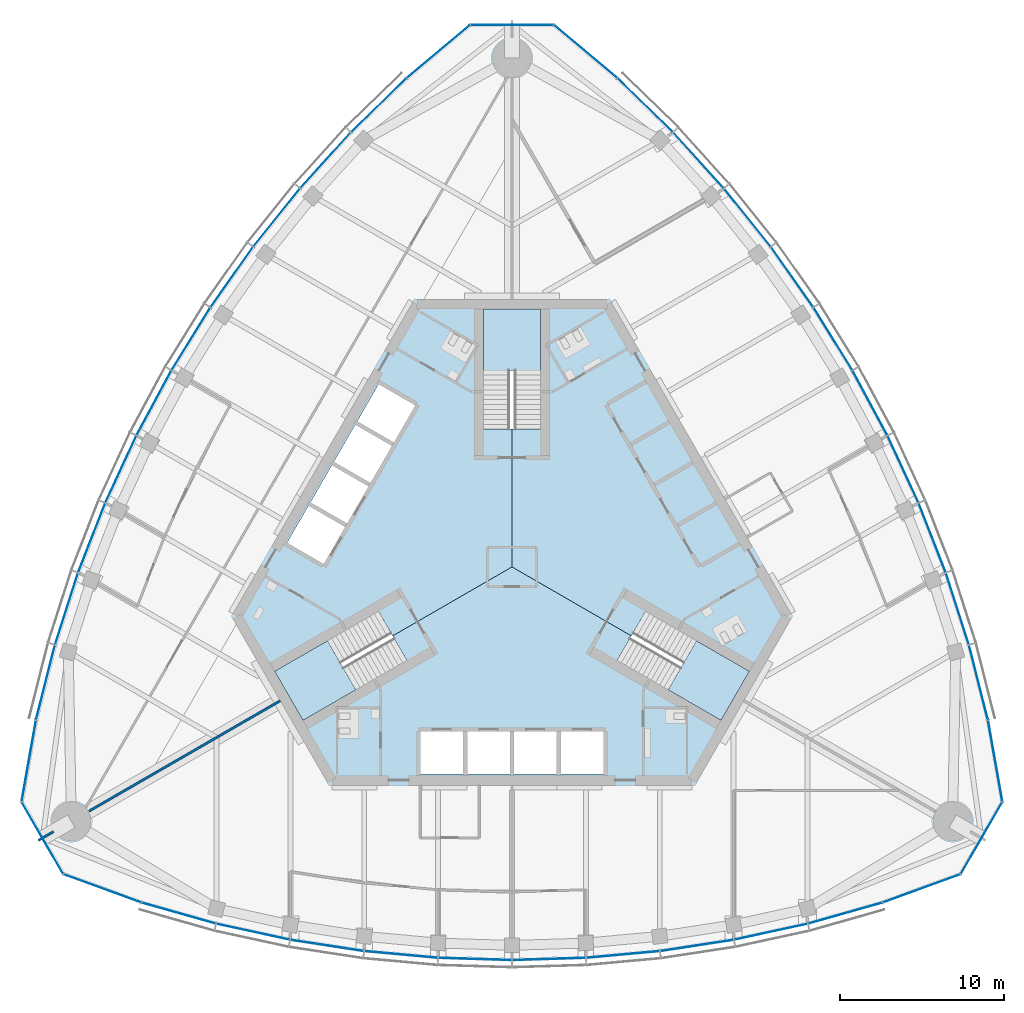
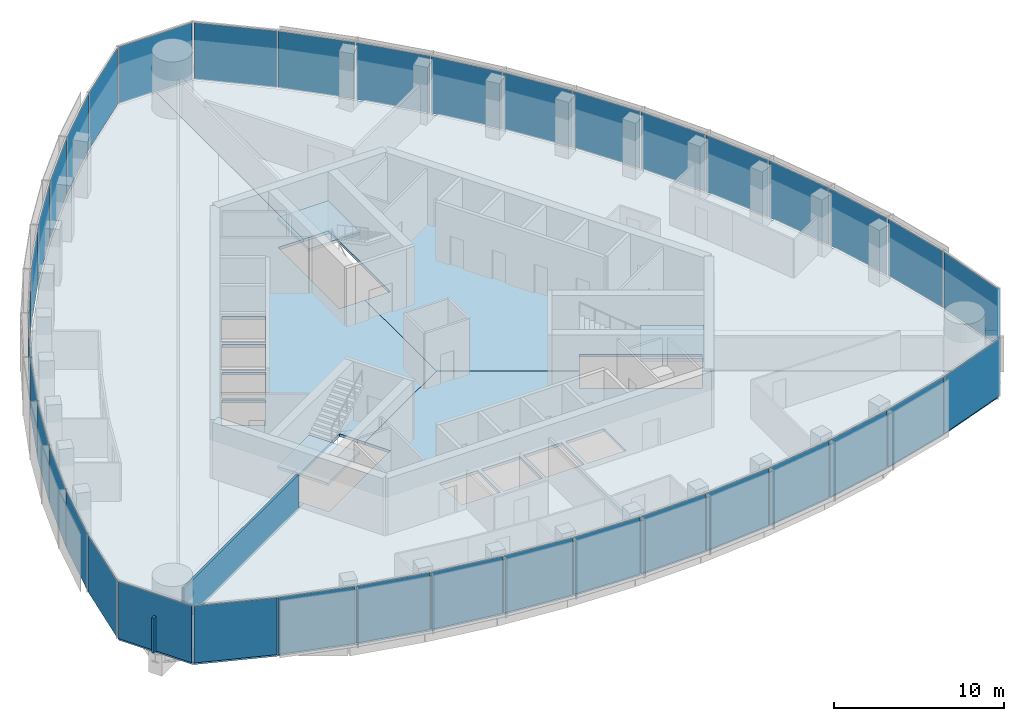
# One storey, part 7 of 16: 39 plates, 6 slabs, 2 walls, 9 elements without a shape of their own.
"""IFC4 building model written with IfcOpenShell, lengths in metres."""

from ifc_helpers import new_model, si_unit, direction, frame, frame_2d, origin, origin_2d, place, context, subcontext, project, spatial, polyline, rectangle, outline, extrude, material, layer, layer_set, type_object, element, aggregate, save


model = new_model("IFC4")

# Units and contexts
model_context = context("Model", 3, precision=1e-05, world=origin(), true_north=direction((0.0, 1.0)))
body_context = subcontext(model_context, "Body", "Model", "MODEL_VIEW")
ifc_project = project(units=[si_unit("LENGTHUNIT", "METRE"), si_unit("AREAUNIT", "SQUARE_METRE"), si_unit("VOLUMEUNIT", "CUBIC_METRE"), si_unit("PLANEANGLEUNIT", "RADIAN"), si_unit("MASSUNIT", "GRAM", prefix="KILO")], contexts=[model_context])

# Site, building, storey
site_placement = place(None, origin())
site = spatial("IfcSite", under=ifc_project, at=site_placement, CompositionType="ELEMENT")
building_placement = place(site_placement, origin())
building = spatial("IfcBuilding", under=site, at=building_placement, Name="Trefoil Bronze Tower", CompositionType="ELEMENT")
storey_placement = place(building_placement, frame((0.0, 0.0, 309.89990234375)))
storey = spatial("IfcBuildingStorey", under=building, at=storey_placement, Name="L71", CompositionType="ELEMENT", Elevation=309.89990234375)

# Curtain wall, plates
ifc_material_1 = material(Name="Tinted solar-control glass", Category="glass")
curtain_wall_type_1 = type_object("IfcCurtainWallType", Name="Bronze office curtain wall", PredefinedType="USERDEFINED", material=ifc_material_1)
curtain_wall_1_placement = place(storey_placement, origin())
curtain_wall_1 = element("IfcCurtainWall", 1, at=curtain_wall_1_placement, inside=storey, type_object=curtain_wall_type_1, Name="CW-A L71 F1", ObjectType="CURTAIN WALL", PredefinedType="USERDEFINED")
ifc_material_2 = material(Name="Tinted solar-control glass", Category="glass")
ifc_layer_1 = layer(ifc_material_2, 0.030029296875)
ifc_layer_set_1 = layer_set([ifc_layer_1], Name="Bronze office curtain wall glass panel")
plate_type_1 = type_object("IfcPlateType", Name="Bronze office curtain wall glass panel", PredefinedType="CURTAIN_PANEL", material=ifc_layer_set_1)
plate_1_placement = place(storey_placement, frame((-20.301513671875, -21.092529296875, 0.0), z_axis=(0.0, 0.0, 1.0), x_axis=(0.962097746943, -0.272704831875, 0.0)))
plate_1 = element("IfcPlate", 2, at=plate_1_placement, type_object=plate_type_1, Name="CW-A L71 F1 panel 1", PredefinedType="CURTAIN_PANEL", context=body_context, shape_type="SweptSolid", body=[
    extrude(rectangle(XDim=4.6474609375, YDim=0.030029296875, at=origin_2d()), origin(), (0.0, 0.0, 1.0), 4.080078125),
])
plate_2_placement = place(storey_placement, frame((-15.771240234375, -22.226318359375, 0.0), z_axis=(0.0, 0.0, 1.0), x_axis=(0.977303138829, -0.211845639168, 0.0)))
plate_2 = element("IfcPlate", 3, at=plate_2_placement, type_object=plate_type_1, Name="CW-A L71 F1 panel 2", PredefinedType="CURTAIN_PANEL", context=body_context, shape_type="SweptSolid", body=[
    extrude(rectangle(XDim=4.5244140625, YDim=0.030029296875, at=origin_2d()), origin(), (0.0, 0.0, 1.0), 4.080078125),
])
plate_3_placement = place(storey_placement, frame((-11.26513671875, -23.0595703125, 0.0), z_axis=(0.0, 0.0, 1.0), x_axis=(0.988485337216, -0.151316681529, 0.0)))
plate_3 = element("IfcPlate", 4, at=plate_3_placement, type_object=plate_type_1, Name="CW-A L71 F1 panel 3", PredefinedType="CURTAIN_PANEL", context=body_context, shape_type="SweptSolid", body=[
    extrude(rectangle(XDim=4.472412109375, YDim=0.030029296875, at=origin_2d()), origin(), (0.0, 0.0, 1.0), 4.080078125),
])
plate_4_placement = place(storey_placement, frame((-6.759033203125, -23.60986328125, 0.0), z_axis=(0.0, 0.0, 1.0), x_axis=(0.99587011625, -0.090789380212, 0.0)))
plate_4 = element("IfcPlate", 5, at=plate_4_placement, type_object=plate_type_1, Name="CW-A L71 F1 panel 4", PredefinedType="CURTAIN_PANEL", context=body_context, shape_type="SweptSolid", body=[
    extrude(rectangle(XDim=4.438720703125, YDim=0.030029296875, at=origin_2d()), origin(), (0.0, 0.0, 1.0), 4.080078125),
])
plate_5_placement = place(storey_placement, frame((-2.2529296875, -23.883544921875, 0.0), z_axis=(0.0, 0.0, 1.0), x_axis=(0.999541969785, -0.030263024264, 0.0)))
plate_5 = element("IfcPlate", 6, at=plate_5_placement, type_object=plate_type_1, Name="CW-A L71 F1 panel 5", PredefinedType="CURTAIN_PANEL", context=body_context, shape_type="SweptSolid", body=[
    extrude(rectangle(XDim=4.422119140625, YDim=0.030029296875, at=origin_2d()), origin(), (0.0, 0.0, 1.0), 4.080078125),
])
plate_6_placement = place(storey_placement, frame((2.2529296875, -23.883544921875, 0.0), z_axis=(0.0, 0.0, 1.0), x_axis=(0.999541969785, 0.030263024264, 0.0)))
plate_6 = element("IfcPlate", 7, at=plate_6_placement, type_object=plate_type_1, Name="CW-A L71 F1 panel 6", PredefinedType="CURTAIN_PANEL", context=body_context, shape_type="SweptSolid", body=[
    extrude(rectangle(XDim=4.422119140625, YDim=0.030029296875, at=origin_2d()), origin(), (0.0, 0.0, 1.0), 4.080078125),
])
plate_7_placement = place(storey_placement, frame((6.759033203125, -23.60986328125, 0.0), z_axis=(0.0, 0.0, 1.0), x_axis=(0.99587011625, 0.090789380212, 0.0)))
plate_7 = element("IfcPlate", 8, at=plate_7_placement, type_object=plate_type_1, Name="CW-A L71 F1 panel 7", PredefinedType="CURTAIN_PANEL", context=body_context, shape_type="SweptSolid", body=[
    extrude(rectangle(XDim=4.438720703125, YDim=0.030029296875, at=origin_2d()), origin(), (0.0, 0.0, 1.0), 4.080078125),
])
plate_8_placement = place(storey_placement, frame((11.26513671875, -23.0595703125, 0.0), z_axis=(0.0, 0.0, 1.0), x_axis=(0.988485337216, 0.151316681529, 0.0)))
plate_8 = element("IfcPlate", 9, at=plate_8_placement, type_object=plate_type_1, Name="CW-A L71 F1 panel 8", PredefinedType="CURTAIN_PANEL", context=body_context, shape_type="SweptSolid", body=[
    extrude(rectangle(XDim=4.472412109375, YDim=0.030029296875, at=origin_2d()), origin(), (0.0, 0.0, 1.0), 4.080078125),
])
plate_9_placement = place(storey_placement, frame((15.771240234375, -22.226318359375, 0.0), z_axis=(0.0, 0.0, 1.0), x_axis=(0.977303138829, 0.211845639168, 0.0)))
plate_9 = element("IfcPlate", 10, at=plate_9_placement, type_object=plate_type_1, Name="CW-A L71 F1 panel 9", PredefinedType="CURTAIN_PANEL", context=body_context, shape_type="SweptSolid", body=[
    extrude(rectangle(XDim=4.5244140625, YDim=0.030029296875, at=origin_2d()), origin(), (0.0, 0.0, 1.0), 4.080078125),
])
plate_10_placement = place(storey_placement, frame((20.301513671875, -21.092529296875, 0.0), z_axis=(0.0, 0.0, 1.0), x_axis=(0.962097746943, 0.272704831875, 0.0)))
plate_10 = element("IfcPlate", 11, at=plate_10_placement, type_object=plate_type_1, Name="CW-A L71 F1 panel 10", PredefinedType="CURTAIN_PANEL", context=body_context, shape_type="SweptSolid", body=[
    extrude(rectangle(XDim=4.6474609375, YDim=0.030029296875, at=origin_2d()), origin(), (0.0, 0.0, 1.0), 4.080078125),
])
aggregate(curtain_wall_1, [plate_1, plate_2, plate_3, plate_4, plate_5, plate_6, plate_7, plate_8, plate_9, plate_10])

curtain_wall_2_placement = place(storey_placement, origin())
curtain_wall_2 = element("IfcCurtainWall", 12, at=curtain_wall_2_placement, inside=storey, type_object=curtain_wall_type_1, Name="CW-A L71 F2", ObjectType="CURTAIN WALL", PredefinedType="USERDEFINED")
plate_11_placement = place(storey_placement, frame((28.417236328125, -7.035400390625, 0.0), z_axis=(0.0, 0.0, 1.0), x_axis=(-0.244879561333, 0.969553505713, 0.0)))
plate_11 = element("IfcPlate", 13, at=plate_11_placement, type_object=plate_type_1, Name="CW-A L71 F2 panel 1", PredefinedType="CURTAIN_PANEL", context=body_context, shape_type="SweptSolid", body=[
    extrude(rectangle(XDim=4.6474609375, YDim=0.030029296875, at=origin_2d()), origin(), (0.0, 0.0, 1.0), 4.080078125),
])
plate_12_placement = place(storey_placement, frame((27.134033203125, -2.545166015625, 0.0), z_axis=(0.0, 0.0, 1.0), x_axis=(-0.305187864214, 0.952292165009, 0.0)))
plate_12 = element("IfcPlate", 14, at=plate_12_placement, type_object=plate_type_1, Name="CW-A L71 F2 panel 2", PredefinedType="CURTAIN_PANEL", context=body_context, shape_type="SweptSolid", body=[
    extrude(rectangle(XDim=4.5244140625, YDim=0.030029296875, at=origin_2d()), origin(), (0.0, 0.0, 1.0), 4.080078125),
])
plate_13_placement = place(storey_placement, frame((25.602783203125, 1.77392578125, 0.0), z_axis=(0.0, 0.0, 1.0), x_axis=(-0.363198578387, 0.931711754062, 0.0)))
plate_13 = element("IfcPlate", 15, at=plate_13_placement, type_object=plate_type_1, Name="CW-A L71 F2 panel 3", PredefinedType="CURTAIN_PANEL", context=body_context, shape_type="SweptSolid", body=[
    extrude(rectangle(XDim=4.472412109375, YDim=0.030029296875, at=origin_2d()), origin(), (0.0, 0.0, 1.0), 4.080078125),
])
plate_14_placement = place(storey_placement, frame((23.826171875, 5.951416015625, 0.0), z_axis=(0.0, 0.0, 1.0), x_axis=(-0.419309148468, 0.907843509649, 0.0)))
plate_14 = element("IfcPlate", 16, at=plate_14_placement, type_object=plate_type_1, Name="CW-A L71 F2 panel 4", PredefinedType="CURTAIN_PANEL", context=body_context, shape_type="SweptSolid", body=[
    extrude(rectangle(XDim=4.438720703125, YDim=0.030029296875, at=origin_2d()), origin(), (0.0, 0.0, 1.0), 4.080078125),
])
plate_15_placement = place(storey_placement, frame((21.81005859375, 9.990478515625, 0.0), z_axis=(0.0, 0.0, 1.0), x_axis=(-0.473562437085, 0.880760250115, 0.0)))
plate_15 = element("IfcPlate", 17, at=plate_15_placement, type_object=plate_type_1, Name="CW-A L71 F2 panel 5", PredefinedType="CURTAIN_PANEL", context=body_context, shape_type="SweptSolid", body=[
    extrude(rectangle(XDim=4.422119140625, YDim=0.030029296875, at=origin_2d()), origin(), (0.0, 0.0, 1.0), 4.080078125),
])
plate_16_placement = place(storey_placement, frame((19.55712890625, 13.892822265625, 0.0), z_axis=(0.0, 0.0, 1.0), x_axis=(-0.525979532701, 0.850497225851, 0.0)))
plate_16 = element("IfcPlate", 18, at=plate_16_placement, type_object=plate_type_1, Name="CW-A L71 F2 panel 6", PredefinedType="CURTAIN_PANEL", context=body_context, shape_type="SweptSolid", body=[
    extrude(rectangle(XDim=4.422119140625, YDim=0.030029296875, at=origin_2d()), origin(), (0.0, 0.0, 1.0), 4.080078125),
])
plate_17_placement = place(storey_placement, frame((17.067138671875, 17.658447265625, 0.0), z_axis=(0.0, 0.0, 1.0), x_axis=(-0.576560967783, 0.817054129437, 0.0)))
plate_17 = element("IfcPlate", 19, at=plate_17_placement, type_object=plate_type_1, Name="CW-A L71 F2 panel 7", PredefinedType="CURTAIN_PANEL", context=body_context, shape_type="SweptSolid", body=[
    extrude(rectangle(XDim=4.438720703125, YDim=0.030029296875, at=origin_2d()), origin(), (0.0, 0.0, 1.0), 4.080078125),
])
plate_18_placement = place(storey_placement, frame((14.337646484375, 21.28564453125, 0.0), z_axis=(0.0, 0.0, 1.0), x_axis=(-0.625286758829, 0.780395072533, 0.0)))
plate_18 = element("IfcPlate", 20, at=plate_18_placement, type_object=plate_type_1, Name="CW-A L71 F2 panel 8", PredefinedType="CURTAIN_PANEL", context=body_context, shape_type="SweptSolid", body=[
    extrude(rectangle(XDim=4.472412109375, YDim=0.030029296875, at=origin_2d()), origin(), (0.0, 0.0, 1.0), 4.080078125),
])
plate_19_placement = place(storey_placement, frame((11.36279296875, 24.771484375, 0.0), z_axis=(0.0, 0.0, 1.0), x_axis=(-0.672115274615, 0.74044652584, 0.0)))
plate_19 = element("IfcPlate", 21, at=plate_19_placement, type_object=plate_type_1, Name="CW-A L71 F2 panel 9", PredefinedType="CURTAIN_PANEL", context=body_context, shape_type="SweptSolid", body=[
    extrude(rectangle(XDim=4.5244140625, YDim=0.030029296875, at=origin_2d()), origin(), (0.0, 0.0, 1.0), 4.080078125),
])
plate_20_placement = place(storey_placement, frame((8.115966796875, 28.127685546875, 0.0), z_axis=(0.0, 0.0, 1.0), x_axis=(-0.71721818561, 0.696848673839, 0.0)))
plate_20 = element("IfcPlate", 22, at=plate_20_placement, type_object=plate_type_1, Name="CW-A L71 F2 panel 10", PredefinedType="CURTAIN_PANEL", context=body_context, shape_type="SweptSolid", body=[
    extrude(rectangle(XDim=4.6474609375, YDim=0.030029296875, at=origin_2d()), origin(), (0.0, 0.0, 1.0), 4.080078125),
])
aggregate(curtain_wall_2, [plate_11, plate_12, plate_13, plate_14, plate_15, plate_16, plate_17, plate_18, plate_19, plate_20])

curtain_wall_3_placement = place(storey_placement, origin())
curtain_wall_3 = element("IfcCurtainWall", 23, at=curtain_wall_3_placement, inside=storey, type_object=curtain_wall_type_1, Name="CW-A L71 F3", ObjectType="CURTAIN WALL", PredefinedType="USERDEFINED")
plate_21_placement = place(storey_placement, frame((-8.115966796875, 28.127685546875, 0.0), z_axis=(0.0, 0.0, 1.0), x_axis=(-0.71721818561, -0.696848673839, 0.0)))
plate_21 = element("IfcPlate", 24, at=plate_21_placement, type_object=plate_type_1, Name="CW-A L71 F3 panel 1", PredefinedType="CURTAIN_PANEL", context=body_context, shape_type="SweptSolid", body=[
    extrude(rectangle(XDim=4.6474609375, YDim=0.030029296875, at=origin_2d()), origin(), (0.0, 0.0, 1.0), 4.080078125),
])
plate_22_placement = place(storey_placement, frame((-11.36279296875, 24.771484375, 0.0), z_axis=(0.0, 0.0, 1.0), x_axis=(-0.672115274615, -0.74044652584, 0.0)))
plate_22 = element("IfcPlate", 25, at=plate_22_placement, type_object=plate_type_1, Name="CW-A L71 F3 panel 2", PredefinedType="CURTAIN_PANEL", context=body_context, shape_type="SweptSolid", body=[
    extrude(rectangle(XDim=4.5244140625, YDim=0.030029296875, at=origin_2d()), origin(), (0.0, 0.0, 1.0), 4.080078125),
])
plate_23_placement = place(storey_placement, frame((-14.337646484375, 21.28564453125, 0.0), z_axis=(0.0, 0.0, 1.0), x_axis=(-0.625286758829, -0.780395072533, 0.0)))
plate_23 = element("IfcPlate", 26, at=plate_23_placement, type_object=plate_type_1, Name="CW-A L71 F3 panel 3", PredefinedType="CURTAIN_PANEL", context=body_context, shape_type="SweptSolid", body=[
    extrude(rectangle(XDim=4.472412109375, YDim=0.030029296875, at=origin_2d()), origin(), (0.0, 0.0, 1.0), 4.080078125),
])
plate_24_placement = place(storey_placement, frame((-17.067138671875, 17.658447265625, 0.0), z_axis=(0.0, 0.0, 1.0), x_axis=(-0.576560967783, -0.817054129437, 0.0)))
plate_24 = element("IfcPlate", 27, at=plate_24_placement, type_object=plate_type_1, Name="CW-A L71 F3 panel 4", PredefinedType="CURTAIN_PANEL", context=body_context, shape_type="SweptSolid", body=[
    extrude(rectangle(XDim=4.438720703125, YDim=0.030029296875, at=origin_2d()), origin(), (0.0, 0.0, 1.0), 4.080078125),
])
plate_25_placement = place(storey_placement, frame((-19.55712890625, 13.892822265625, 0.0), z_axis=(0.0, 0.0, 1.0), x_axis=(-0.525979532701, -0.850497225851, 0.0)))
plate_25 = element("IfcPlate", 28, at=plate_25_placement, type_object=plate_type_1, Name="CW-A L71 F3 panel 5", PredefinedType="CURTAIN_PANEL", context=body_context, shape_type="SweptSolid", body=[
    extrude(rectangle(XDim=4.422119140625, YDim=0.030029296875, at=origin_2d()), origin(), (0.0, 0.0, 1.0), 4.080078125),
])
plate_26_placement = place(storey_placement, frame((-21.81005859375, 9.990478515625, 0.0), z_axis=(0.0, 0.0, 1.0), x_axis=(-0.473562437085, -0.880760250115, 0.0)))
plate_26 = element("IfcPlate", 29, at=plate_26_placement, type_object=plate_type_1, Name="CW-A L71 F3 panel 6", PredefinedType="CURTAIN_PANEL", context=body_context, shape_type="SweptSolid", body=[
    extrude(rectangle(XDim=4.422119140625, YDim=0.030029296875, at=origin_2d()), origin(), (0.0, 0.0, 1.0), 4.080078125),
])
plate_27_placement = place(storey_placement, frame((-23.826171875, 5.951416015625, 0.0), z_axis=(0.0, 0.0, 1.0), x_axis=(-0.419309148468, -0.907843509649, 0.0)))
plate_27 = element("IfcPlate", 30, at=plate_27_placement, type_object=plate_type_1, Name="CW-A L71 F3 panel 7", PredefinedType="CURTAIN_PANEL", context=body_context, shape_type="SweptSolid", body=[
    extrude(rectangle(XDim=4.438720703125, YDim=0.030029296875, at=origin_2d()), origin(), (0.0, 0.0, 1.0), 4.080078125),
])
plate_28_placement = place(storey_placement, frame((-25.602783203125, 1.77392578125, 0.0), z_axis=(0.0, 0.0, 1.0), x_axis=(-0.363198578387, -0.931711754062, 0.0)))
plate_28 = element("IfcPlate", 31, at=plate_28_placement, type_object=plate_type_1, Name="CW-A L71 F3 panel 8", PredefinedType="CURTAIN_PANEL", context=body_context, shape_type="SweptSolid", body=[
    extrude(rectangle(XDim=4.472412109375, YDim=0.030029296875, at=origin_2d()), origin(), (0.0, 0.0, 1.0), 4.080078125),
])
plate_29_placement = place(storey_placement, frame((-27.134033203125, -2.545166015625, 0.0), z_axis=(0.0, 0.0, 1.0), x_axis=(-0.305187864214, -0.952292165009, 0.0)))
plate_29 = element("IfcPlate", 32, at=plate_29_placement, type_object=plate_type_1, Name="CW-A L71 F3 panel 9", PredefinedType="CURTAIN_PANEL", context=body_context, shape_type="SweptSolid", body=[
    extrude(rectangle(XDim=4.5244140625, YDim=0.030029296875, at=origin_2d()), origin(), (0.0, 0.0, 1.0), 4.080078125),
])
plate_30_placement = place(storey_placement, frame((-28.417236328125, -7.035400390625, 0.0), z_axis=(0.0, 0.0, 1.0), x_axis=(-0.244879561333, -0.969553505713, 0.0)))
plate_30 = element("IfcPlate", 33, at=plate_30_placement, type_object=plate_type_1, Name="CW-A L71 F3 panel 10", PredefinedType="CURTAIN_PANEL", context=body_context, shape_type="SweptSolid", body=[
    extrude(rectangle(XDim=4.6474609375, YDim=0.030029296875, at=origin_2d()), origin(), (0.0, 0.0, 1.0), 4.080078125),
])
aggregate(curtain_wall_3, [plate_21, plate_22, plate_23, plate_24, plate_25, plate_26, plate_27, plate_28, plate_29, plate_30])

ifc_material_3 = material(Name="Tinted solar-control glass", Category="glass")
curtain_wall_type_2 = type_object("IfcCurtainWallType", Name="Bronze rounded corner curtain wall", PredefinedType="USERDEFINED", material=ifc_material_3)
curtain_wall_4_placement = place(storey_placement, origin())
curtain_wall_4 = element("IfcCurtainWall", 34, at=curtain_wall_4_placement, inside=storey, type_object=curtain_wall_type_2, Name="CW-B L71 K1", ObjectType="CURTAIN WALL", PredefinedType="USERDEFINED")
ifc_material_4 = material(Name="Tinted solar-control glass", Category="glass")
ifc_layer_2 = layer(ifc_material_4, 0.030029296875)
ifc_layer_set_2 = layer_set([ifc_layer_2], Name="Bronze rounded corner curtain wall glass panel")
plate_type_2 = type_object("IfcPlateType", Name="Bronze rounded corner curtain wall glass panel", PredefinedType="CURTAIN_PANEL", material=ifc_layer_set_2)
plate_31_placement = place(storey_placement, frame((24.939453125, -19.587646484375, 0.0), z_axis=(0.0, 0.0, 1.0), x_axis=(0.939692620786, 0.342020143326, 0.0)))
plate_31 = element("IfcPlate", 35, at=plate_31_placement, type_object=plate_type_2, Name="CW-B L71 K1 panel 1", PredefinedType="CURTAIN_PANEL", context=body_context, shape_type="SweptSolid", body=[
    extrude(rectangle(XDim=4.956298828125, YDim=0.030029296875, at=origin_2d()), origin(), (0.0, 0.0, 1.0), 4.080078125),
])
plate_32_placement = place(storey_placement, frame((28.602783203125, -16.513916015625, 0.0), z_axis=(0.0, 0.0, 1.0), x_axis=(0.5, 0.866025403784, 0.0)))
plate_32 = element("IfcPlate", 36, at=plate_32_placement, type_object=plate_type_2, Name="CW-B L71 K1 panel 2", PredefinedType="CURTAIN_PANEL", context=body_context, shape_type="SweptSolid", body=[
    extrude(rectangle(XDim=4.956298828125, YDim=0.030029296875, at=origin_2d()), origin(), (0.0, 0.0, 1.0), 4.080078125),
])
plate_33_placement = place(storey_placement, frame((29.43310546875, -11.80419921875, 0.0), z_axis=(0.0, 0.0, 1.0), x_axis=(-0.173648177667, 0.984807753012, 0.0)))
plate_33 = element("IfcPlate", 37, at=plate_33_placement, type_object=plate_type_2, Name="CW-B L71 K1 panel 3", PredefinedType="CURTAIN_PANEL", context=body_context, shape_type="SweptSolid", body=[
    extrude(rectangle(XDim=4.956298828125, YDim=0.030029296875, at=origin_2d()), origin(), (0.0, 0.0, 1.0), 4.080078125),
])
aggregate(curtain_wall_4, [plate_31, plate_32, plate_33])

curtain_wall_5_placement = place(storey_placement, origin())
curtain_wall_5 = element("IfcCurtainWall", 38, at=curtain_wall_5_placement, inside=storey, type_object=curtain_wall_type_2, Name="CW-B L71 K2", ObjectType="CURTAIN WALL", PredefinedType="USERDEFINED")
plate_34_placement = place(storey_placement, frame((4.493896484375, 31.39208984375, 0.0), z_axis=(0.0, 0.0, 1.0), x_axis=(-0.766044443119, 0.642787609687, 0.0)))
plate_34 = element("IfcPlate", 39, at=plate_34_placement, type_object=plate_type_2, Name="CW-B L71 K2 panel 1", PredefinedType="CURTAIN_PANEL", context=body_context, shape_type="SweptSolid", body=[
    extrude(rectangle(XDim=4.956298828125, YDim=0.030029296875, at=origin_2d()), origin(), (0.0, 0.0, 1.0), 4.080078125),
])
plate_35_placement = place(storey_placement, frame((0.0, 33.027587890625, 0.0), z_axis=(0.0, 0.0, 1.0), x_axis=(-1.0, 0.0, 0.0)))
plate_35 = element("IfcPlate", 40, at=plate_35_placement, type_object=plate_type_2, Name="CW-B L71 K2 panel 2", PredefinedType="CURTAIN_PANEL", context=body_context, shape_type="SweptSolid", body=[
    extrude(rectangle(XDim=4.956298828125, YDim=0.030029296875, at=origin_2d()), origin(), (0.0, 0.0, 1.0), 4.080078125),
])
plate_36_placement = place(storey_placement, frame((-4.493896484375, 31.39208984375, 0.0), z_axis=(0.0, 0.0, 1.0), x_axis=(-0.766044443119, -0.642787609687, 0.0)))
plate_36 = element("IfcPlate", 41, at=plate_36_placement, type_object=plate_type_2, Name="CW-B L71 K2 panel 3", PredefinedType="CURTAIN_PANEL", context=body_context, shape_type="SweptSolid", body=[
    extrude(rectangle(XDim=4.956298828125, YDim=0.030029296875, at=origin_2d()), origin(), (0.0, 0.0, 1.0), 4.080078125),
])
aggregate(curtain_wall_5, [plate_34, plate_35, plate_36])

curtain_wall_6_placement = place(storey_placement, origin())
curtain_wall_6 = element("IfcCurtainWall", 42, at=curtain_wall_6_placement, inside=storey, type_object=curtain_wall_type_2, Name="CW-B L71 K3", ObjectType="CURTAIN WALL", PredefinedType="USERDEFINED")
plate_37_placement = place(storey_placement, frame((-29.43310546875, -11.80419921875, 0.0), z_axis=(0.0, 0.0, 1.0), x_axis=(-0.173648177667, -0.984807753012, 0.0)))
plate_37 = element("IfcPlate", 43, at=plate_37_placement, type_object=plate_type_2, Name="CW-B L71 K3 panel 1", PredefinedType="CURTAIN_PANEL", context=body_context, shape_type="SweptSolid", body=[
    extrude(rectangle(XDim=4.956298828125, YDim=0.030029296875, at=origin_2d()), origin(), (0.0, 0.0, 1.0), 4.080078125),
])
plate_38_placement = place(storey_placement, frame((-28.602783203125, -16.513916015625, 0.0), z_axis=(0.0, 0.0, 1.0), x_axis=(0.5, -0.866025403784, 0.0)))
plate_38 = element("IfcPlate", 44, at=plate_38_placement, type_object=plate_type_2, Name="CW-B L71 K3 panel 2", PredefinedType="CURTAIN_PANEL", context=body_context, shape_type="SweptSolid", body=[
    extrude(rectangle(XDim=4.956298828125, YDim=0.030029296875, at=origin_2d()), origin(), (0.0, 0.0, 1.0), 4.080078125),
])
plate_39_placement = place(storey_placement, frame((-24.939453125, -19.587646484375, 0.0), z_axis=(0.0, 0.0, 1.0), x_axis=(0.939692620786, -0.342020143326, 0.0)))
plate_39 = element("IfcPlate", 45, at=plate_39_placement, type_object=plate_type_2, Name="CW-B L71 K3 panel 3", PredefinedType="CURTAIN_PANEL", context=body_context, shape_type="SweptSolid", body=[
    extrude(rectangle(XDim=4.956298828125, YDim=0.030029296875, at=origin_2d()), origin(), (0.0, 0.0, 1.0), 4.080078125),
])
aggregate(curtain_wall_6, [plate_37, plate_38, plate_39])

# Slabs
ifc_material_5 = material(Name="Concrete B30", Category="concrete")
ifc_layer_3 = layer(ifc_material_5, 0.199951171875)
ifc_layer_set_3 = layer_set([ifc_layer_3], Name="Floor slab 200")
slab_type_1 = type_object("IfcSlabType", Name="Floor slab 200", PredefinedType="FLOOR", material=ifc_layer_set_3)
slab_1_placement = place(storey_placement, frame((0.0, 0.0, -0.199951171875)))
element("IfcSlab", 46, at=slab_1_placement, inside=storey, type_object=slab_type_1, Name="Floor slab L71 face 1", PredefinedType="FLOOR", context=body_context, shape_type="SweptSolid", body=[
    extrude(outline(polyline([(13.5, -22.6162109375), (9.0, -23.30517578125), (4.5, -23.71533203125), (0.0, -23.8515625), (-4.5, -23.71533203125), (-9.0, -23.30517578125), (-13.5, -22.6162109375), (-18.0, -21.640869140625), (-22.54833984375, -20.3515625), (-27.261962890625, -18.635986328125), (-28.51611328125, -16.4638671875), (-13.510009765625, -7.800048828125), (-12.6474609375, -9.2939453125), (-6.412109375, -5.69384765625), (-7.274658203125, -4.199951171875), (0.0, 0.0), (7.274658203125, -4.199951171875), (6.412109375, -5.69384765625), (12.6474609375, -9.2939453125), (13.510009765625, -7.800048828125), (28.51611328125, -16.4638671875), (27.261962890625, -18.635986328125), (22.54833984375, -20.3515625), (18.0, -21.640869140625), (13.5, -22.6162109375)]), holes=[polyline([(-5.574951171875, -10.02490234375), (-2.97509765625, -10.02490234375), (-2.97509765625, -12.60009765625), (-5.574951171875, -12.60009765625), (-5.574951171875, -10.02490234375)]), polyline([(-2.72509765625, -10.02490234375), (-0.125, -10.02490234375), (-0.125, -12.60009765625), (-2.72509765625, -12.60009765625), (-2.72509765625, -10.02490234375)]), polyline([(0.125, -10.02490234375), (2.72509765625, -10.02490234375), (2.72509765625, -12.60009765625), (0.125, -12.60009765625), (0.125, -10.02490234375)]), polyline([(2.97509765625, -10.02490234375), (5.574951171875, -10.02490234375), (5.574951171875, -12.60009765625), (2.97509765625, -12.60009765625), (2.97509765625, -10.02490234375)])]), origin(), (0.0, 0.0, 1.0), 0.199951171875),
])
slab_2_placement = place(storey_placement, frame((0.0, 0.0, -0.199951171875)))
element("IfcSlab", 47, at=slab_2_placement, inside=storey, type_object=slab_type_1, Name="Floor slab L71 face 2", PredefinedType="FLOOR", context=body_context, shape_type="SweptSolid", body=[
    extrude(outline(polyline([(12.836181640625, 22.99951171875), (15.682861328125, 19.44677734375), (18.2880859375, 15.7548828125), (20.656005859375, 11.92578125), (22.7880859375, 7.96044921875), (24.682861328125, 3.8583984375), (26.336181640625, -0.38330078125), (27.741455078125, -4.76806640625), (28.899169921875, -9.3515625), (29.770263671875, -14.291748046875), (28.51611328125, -16.4638671875), (13.510009765625, -7.800048828125), (14.37255859375, -6.30615234375), (8.13720703125, -2.7060546875), (7.274658203125, -4.199951171875), (0.0, 0.0), (0.0, 8.39990234375), (1.72509765625, 8.39990234375), (1.72509765625, 15.60009765625), (0.0, 15.60009765625), (0.0, 32.927490234375), (2.508056640625, 32.927490234375), (6.350830078125, 29.703125), (9.741455078125, 26.408935546875), (12.836181640625, 22.99951171875)])), origin(), (0.0, 0.0, 1.0), 0.199951171875),
])
slab_3_placement = place(storey_placement, frame((0.0, 0.0, -0.199951171875)))
element("IfcSlab", 48, at=slab_3_placement, inside=storey, type_object=slab_type_1, Name="Floor slab L71 face 3", PredefinedType="FLOOR", context=body_context, shape_type="SweptSolid", body=[
    extrude(outline(polyline([(-26.336181640625, -0.38330078125), (-24.682861328125, 3.8583984375), (-22.7880859375, 7.96044921875), (-20.656005859375, 11.92578125), (-18.2880859375, 15.7548828125), (-15.682861328125, 19.44677734375), (-12.836181640625, 22.99951171875), (-9.741455078125, 26.408935546875), (-6.350830078125, 29.703125), (-2.508056640625, 32.927490234375), (0.0, 32.927490234375), (0.0, 15.60009765625), (-1.72509765625, 15.60009765625), (-1.72509765625, 8.39990234375), (0.0, 8.39990234375), (0.0, 0.0), (-7.274658203125, -4.199951171875), (-8.13720703125, -2.7060546875), (-14.37255859375, -6.30615234375), (-13.510009765625, -7.800048828125), (-28.51611328125, -16.4638671875), (-29.770263671875, -14.291748046875), (-28.899169921875, -9.3515625), (-27.741455078125, -4.76806640625), (-26.336181640625, -0.38330078125)]), holes=[polyline([(-5.894287109375, 9.840576171875), (-7.1943359375, 7.5888671875), (-9.42431640625, 8.87646484375), (-8.12451171875, 11.128173828125), (-5.894287109375, 9.840576171875)]), polyline([(-7.3193359375, 7.372314453125), (-8.619384765625, 5.120849609375), (-10.849365234375, 6.408203125), (-9.54931640625, 8.659912109375), (-7.3193359375, 7.372314453125)]), polyline([(-8.744384765625, 4.904296875), (-10.04443359375, 2.652587890625), (-12.2744140625, 3.940185546875), (-10.974365234375, 6.191650390625), (-8.744384765625, 4.904296875)]), polyline([(-10.16943359375, 2.43603515625), (-11.469482421875, 0.184326171875), (-13.699462890625, 1.471923828125), (-12.3994140625, 3.7236328125), (-10.16943359375, 2.43603515625)])]), origin(), (0.0, 0.0, 1.0), 0.199951171875),
])

# Stair, slab
ifc_material_6 = material(Name="Precast concrete B80", Category="concrete")
stair_type = type_object("IfcStairType", Name="Exit stair 26 risers", PredefinedType="HALF_TURN_STAIR", material=ifc_material_6)
stair_1_placement = place(storey_placement, origin())
stair_1 = element("IfcStair", 49, at=stair_1_placement, inside=storey, type_object=stair_type, Name="Stair ST1 L71", PredefinedType="HALF_TURN_STAIR")
ifc_material_7 = material(Name="Concrete B30", Category="concrete")
ifc_layer_4 = layer(ifc_material_7, 0.199951171875)
ifc_layer_set_4 = layer_set([ifc_layer_4], Name="Stair landing 200")
slab_type_2 = type_object("IfcSlabType", Name="Stair landing 200", PredefinedType="LANDING", material=ifc_layer_set_4)
slab_4_placement = place(storey_placement, frame((0.0, 0.0, 1.900146484375)))
slab_4 = element("IfcSlab", 50, at=slab_4_placement, type_object=slab_type_2, Name="ST1 landing 1", PredefinedType="LANDING", context=body_context, shape_type="SweptSolid", body=[
    extrude(outline(polyline([(9.512451171875, -7.48388671875), (12.734130859375, -9.343994140625), (14.458984375, -6.356201171875), (11.237548828125, -4.49609375), (9.512451171875, -7.48388671875)])), origin(), (0.0, 0.0, 1.0), 0.199951171875),
])
aggregate(stair_1, [slab_4])

stair_2_placement = place(storey_placement, origin())
stair_2 = element("IfcStair", 51, at=stair_2_placement, inside=storey, type_object=stair_type, Name="Stair ST2 L71", PredefinedType="HALF_TURN_STAIR")
slab_5_placement = place(storey_placement, frame((0.0, 0.0, 1.900146484375)))
slab_5 = element("IfcSlab", 52, at=slab_5_placement, type_object=slab_type_2, Name="ST2 landing 1", PredefinedType="LANDING", context=body_context, shape_type="SweptSolid", body=[
    extrude(outline(polyline([(1.72509765625, 11.97998046875), (1.72509765625, 15.699951171875), (-1.72509765625, 15.699951171875), (-1.72509765625, 11.97998046875), (1.72509765625, 11.97998046875)])), origin(), (0.0, 0.0, 1.0), 0.199951171875),
])
aggregate(stair_2, [slab_5])

stair_3_placement = place(storey_placement, origin())
stair_3 = element("IfcStair", 53, at=stair_3_placement, inside=storey, type_object=stair_type, Name="Stair ST3 L71", PredefinedType="HALF_TURN_STAIR")
slab_6_placement = place(storey_placement, frame((0.0, 0.0, 1.900146484375)))
slab_6 = element("IfcSlab", 54, at=slab_6_placement, type_object=slab_type_2, Name="ST3 landing 1", PredefinedType="LANDING", context=body_context, shape_type="SweptSolid", body=[
    extrude(outline(polyline([(-11.237548828125, -4.49609375), (-14.458984375, -6.356201171875), (-12.734130859375, -9.343994140625), (-9.512451171875, -7.48388671875), (-11.237548828125, -4.49609375)])), origin(), (0.0, 0.0, 1.0), 0.199951171875),
])
aggregate(stair_3, [slab_6])

# Walls
ifc_material_8 = material(Name="Gypsum board on steel studs", Category="steel")
ifc_layer_5 = layer(ifc_material_8, 0.14990234375)
ifc_layer_set_5 = layer_set([ifc_layer_5], Name="Party wall 150")
wall_type = type_object("IfcWallType", Name="Party wall 150", PredefinedType="PARTITIONING", material=ifc_layer_set_5)
wall_1_placement = place(storey_placement, frame((-14.1162109375, -8.14990234375, 0.0), z_axis=(0.0, 0.0, 1.0), x_axis=(-0.866020541135, -0.500008422262, 0.0)))
element("IfcWall", 55, at=wall_1_placement, inside=storey, type_object=wall_type, Name="Party wall K3 L71", PredefinedType="PARTITIONING", context=body_context, shape_type="SweptSolid", body=[
    extrude(rectangle(XDim=13.449951171875, YDim=0.14990234375, at=frame_2d((6.72509765625, 0.0))), origin(), (0.0, 0.0, 1.0), 2.5),
])
wall_2_placement = place(storey_placement, frame((-27.92919921875, -16.125, 0.0), z_axis=(0.0, 0.0, 1.0), x_axis=(-0.866086810508, -0.499893625349, 0.0)))
element("IfcWall", 56, at=wall_2_placement, inside=storey, type_object=wall_type, Name="Party wall K3 L71", PredefinedType="PARTITIONING", context=body_context, shape_type="SweptSolid", body=[
    extrude(rectangle(XDim=1.070068359375, YDim=0.14990234375, at=frame_2d((0.53515625, 0.0))), origin(), (0.0, 0.0, 1.0), 2.5),
])

save(model, "model.ifc")
